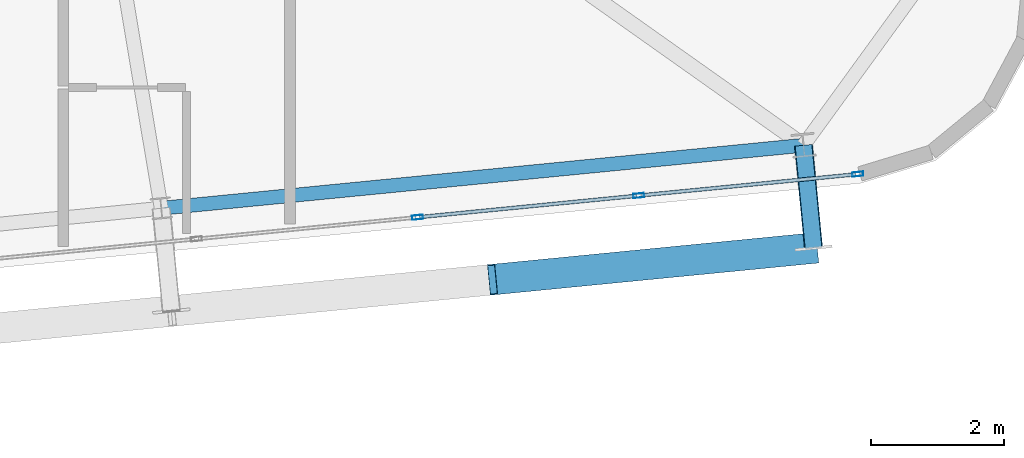
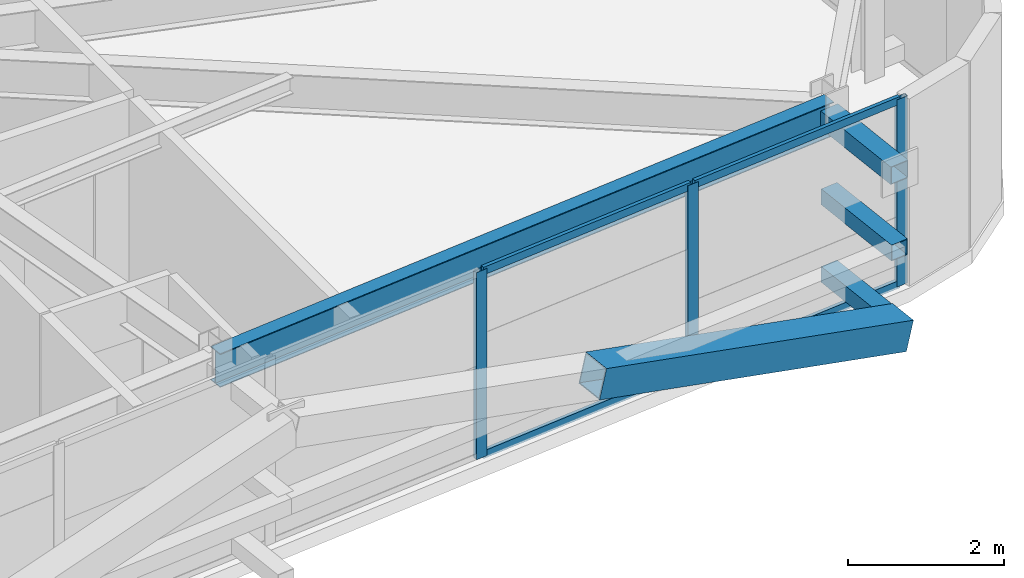
# One storey, part 20 of 53: 11 members, 1 beam, 1 element without a shape of its own.
"""IFC4 building model written with IfcOpenShell, lengths in metres."""

from ifc_helpers import new_model, si_unit, direction, frame, origin, origin_2d, place, context, subcontext, project, spatial, hollow_rectangle, i_section, extrude, source, transform, mapped, material, layer, layer_set, material_profile, profile_set, type_object, element, aggregate, save


model = new_model("IFC4")

# Units and contexts
model_context = context("Model", 3, precision=1e-05, world=origin(), true_north=direction((0.0, 1.0)))
body_context = subcontext(model_context, "Body", "Model", "MODEL_VIEW")
ifc_project = project(units=[si_unit("LENGTHUNIT", "METRE"), si_unit("AREAUNIT", "SQUARE_METRE"), si_unit("VOLUMEUNIT", "CUBIC_METRE"), si_unit("PLANEANGLEUNIT", "RADIAN"), si_unit("MASSUNIT", "GRAM", prefix="KILO")], contexts=[model_context])

# Site, building, storey
site_placement = place(None, origin())
site = spatial("IfcSite", under=ifc_project, at=site_placement, CompositionType="ELEMENT")
building_placement = place(site_placement, origin())
building = spatial("IfcBuilding", under=site, at=building_placement, Name="Taldren Reach Tower", CompositionType="ELEMENT")
storey_placement = place(building_placement, frame((0.0, 0.0, 84.0)))
storey = spatial("IfcBuildingStorey", under=building, at=storey_placement, Name="L25", CompositionType="ELEMENT", Elevation=84.0)

# Members
ifc_material_1 = material(Name="Steel Gr 450 (C450L0)", Category="steel")
ifc_material_profile_1 = material_profile(ifc_material_1, hollow_rectangle(XDim=0.27490234375, YDim=0.27490234375, WallThickness=0.00927734375, at=origin_2d()), Name="275x275x9.3SHS")
ifc_profile_set_1 = profile_set([ifc_material_profile_1], Name="Steel Gr 450 (C450L0)")
member_type_1 = type_object("IfcMemberType", Name="MB-TIE273", PredefinedType="STRUT", material=ifc_profile_set_1)
shared_shape_1 = source(origin(), body_context, "Body", "SweptSolid", [
    extrude(hollow_rectangle(XDim=0.27490234375, YDim=0.27490234375, WallThickness=0.00927734375, at=origin_2d()), origin(), (0.0, 0.0, 1.0), 1.5498046875),
])
member_1_placement = place(storey_placement, frame((63.103271484375, 4.64306640625, 2.64990234375), z_axis=(0.097507178627, -0.995234821595, 0.0), x_axis=(0.995234821595, 0.097507178627, 0.0)))
element("IfcMember", 1, at=member_1_placement, inside=storey, type_object=member_type_1, Name="Exoskeleton diaphragm tie strut B2-S6 L25", PredefinedType="STRUT", context=body_context, shape_type="MappedRepresentation", body=[
    mapped(shared_shape_1, transform((0.0, 0.0, 0.0), scale=1.0)),
])
ifc_material_2 = material(Name="Steel Gr 350 (C350L0)", Category="steel")
ifc_material_profile_2 = material_profile(ifc_material_2, hollow_rectangle(XDim=0.25, YDim=0.25, WallThickness=0.010009765625, at=origin_2d()), Name="250x250x10.0SHS")
ifc_profile_set_2 = profile_set([ifc_material_profile_2], Name="Steel Gr 350 (C350L0)")
member_type_2 = type_object("IfcMemberType", Name="MB-POST250", PredefinedType="POST", material=ifc_profile_set_2)
shared_shape_2 = source(origin(), body_context, "Body", "SweptSolid", [
    extrude(hollow_rectangle(XDim=0.25, YDim=0.25, WallThickness=0.010009765625, at=origin_2d()), origin(), (0.0, 0.0, 1.0), 1.5498046875),
])
for number, where, z_axis, x_axis, name in (
    (2, (63.103271484375, 4.64306640625, 0.219970703125), (0.097507178627, -0.995234821595, 0.0), (0.995234821595, 0.097507178627, 0.0), "Exoskeleton base diaphragm tie strut B2-S6 L25"),
    (3, (63.103271484375, 4.64306640625, 1.43505859375), (0.097507178627, -0.995234821595, 0.0), (0.995234821595, 0.097507178627, 0.0), "Exoskeleton mid-tier diaphragm tie B2-S6 L25"),
):
    element("IfcMember", number, at=place(storey_placement, frame(where, z_axis=z_axis, x_axis=x_axis)), inside=storey, type_object=member_type_2, Name=name, PredefinedType="POST", context=body_context, shape_type="MappedRepresentation", body=[
        mapped(shared_shape_2, transform((0.0, 0.0, 0.0), scale=1.0)),
    ])

# Beam
ifc_material_3 = material(Name="Steel Gr 350 (350PLUS)", Category="steel")
ifc_material_profile_3 = material_profile(ifc_material_3, i_section(OverallWidth=0.208984375, OverallDepth=0.528076171875, WebThickness=0.009521484375, FlangeThickness=0.01318359375, at=origin_2d()), Name="530UB82.0")
ifc_profile_set_3 = profile_set([ifc_material_profile_3], Name="Steel Gr 350 (350PLUS)")
beam_type = type_object("IfcBeamType", Name="SP-UB530B", PredefinedType="SPANDREL", material=ifc_profile_set_3)
shared_shape_3 = source(origin(), body_context, "Body", "SweptSolid", [
    extrude(i_section(OverallWidth=0.208984375, OverallDepth=0.528076171875, WebThickness=0.009521484375, FlangeThickness=0.01318359375, at=origin_2d()), origin(), (0.0, 0.0, 1.0), 9.679931640625),
])
beam_placement = place(storey_placement, frame((53.469482421875, 3.698486328125, 2.666015625), z_axis=(0.995227612658, 0.097580730699, 0.0), x_axis=(-0.097580730699, 0.995227612658, 0.0)))
element("IfcBeam", 4, at=beam_placement, inside=storey, type_object=beam_type, Name="Perimeter spandrel B2 S5-S6 L25", PredefinedType="SPANDREL", context=body_context, shape_type="MappedRepresentation", body=[
    mapped(shared_shape_3, transform((0.0, 0.0, 0.0), scale=1.0)),
])

# Member
ifc_material_profile_4 = material_profile(ifc_material_1, hollow_rectangle(XDim=0.4599609375, YDim=0.4599609375, WallThickness=0.01611328125, at=origin_2d()), Name="460x460x16.0SHS")
ifc_profile_set_4 = profile_set([ifc_material_profile_4], Name="Steel Gr 450 (C450L0)")
member_type_3 = type_object("IfcMemberType", Name="MB-EXO457", PredefinedType="BRACE", material=ifc_profile_set_4)
shared_shape_4 = source(origin(), body_context, "Body", "SweptSolid", [
    extrude(hollow_rectangle(XDim=0.4599609375, YDim=0.4599609375, WallThickness=0.01611328125, at=origin_2d()), origin(), (0.0, 0.0, 1.0), 4.990234375),
])
member_2_placement = place(storey_placement, frame((63.25439453125, 3.1005859375, 0.219970703125), z_axis=(-0.965271056716, -0.094667992638, 0.243494883389), x_axis=(0.097605711627, -0.995225162995, 0.0)))
element("IfcMember", 5, at=member_2_placement, inside=storey, type_object=member_type_3, Name="Exoskeleton Diagrid Brace B2-S5 L25", PredefinedType="BRACE", context=body_context, shape_type="MappedRepresentation", body=[
    mapped(shared_shape_4, transform((0.0, 0.0, 0.0), scale=1.0)),
])

# Curtain wall, members
ifc_material_4 = material(Name="Aluminium and Low-E Glass Unitised System", Category="aluminium")
ifc_layer = layer(ifc_material_4, 0.159912109375)
ifc_layer_set = layer_set([ifc_layer], Name="Aluminium and Low-E Glass Unitised System")
curtain_wall_type = type_object("IfcCurtainWallType", Name="CW-SYS-3", PredefinedType="NOTDEFINED", material=ifc_layer_set)
curtain_wall_placement = place(storey_placement, origin())
curtain_wall = element("IfcCurtainWall", 6, at=curtain_wall_placement, inside=storey, type_object=curtain_wall_type, Name="Unitised curtain wall CW-L25-S", PredefinedType="NOTDEFINED")
ifc_material_5 = material(Name="Anodised Aluminium 6063-T6", Category="aluminium")
ifc_material_profile_5 = material_profile(ifc_material_5, hollow_rectangle(XDim=0.06494140625, YDim=0.1650390625, WallThickness=0.00390625, at=origin_2d()), Name="ALU-165x65x4RHS")
ifc_profile_set_5 = profile_set([ifc_material_profile_5], Name="Anodised Aluminium 6063-T6")
member_type_4 = type_object("IfcMemberType", Name="CW-MUL-165", PredefinedType="MULLION", material=ifc_profile_set_5)
shared_shape_5 = source(origin(), body_context, "Body", "SweptSolid", [
    extrude(hollow_rectangle(XDim=0.06494140625, YDim=0.1650390625, WallThickness=0.00390625, at=origin_2d()), origin(), (0.0, 0.0, 1.0), 2.929931640625),
])
member_3_placement = place(storey_placement, frame((57.314208984375, 3.56298828125, 0.0), z_axis=(0.0, 0.0, 1.0), x_axis=(-0.097582999046, 0.995227390247, 0.0)))
member_3 = element("IfcMember", 7, at=member_3_placement, type_object=member_type_4, Name="CW-3 mullion 14", PredefinedType="MULLION", context=body_context, shape_type="MappedRepresentation", body=[
    mapped(shared_shape_5, transform((0.0, 0.0, 0.0), scale=1.0)),
])
member_4_placement = place(storey_placement, frame((60.631591796875, 3.888427734375, 0.0), z_axis=(0.0, 0.0, 1.0), x_axis=(-0.097582999046, 0.995227390247, 0.0)))
member_4 = element("IfcMember", 8, at=member_4_placement, type_object=member_type_4, Name="CW-3 mullion 15", PredefinedType="MULLION", context=body_context, shape_type="MappedRepresentation", body=[
    mapped(shared_shape_5, transform((0.0, 0.0, 0.0), scale=1.0)),
])
member_5_placement = place(storey_placement, frame((63.916748046875, 4.21044921875, 0.0), z_axis=(0.0, 0.0, 1.0), x_axis=(-0.097582999046, 0.995227390247, 0.0)))
member_5 = element("IfcMember", 9, at=member_5_placement, type_object=member_type_4, Name="CW-3 mullion 16", PredefinedType="MULLION", context=body_context, shape_type="MappedRepresentation", body=[
    mapped(shared_shape_5, transform((0.0, 0.0, 0.0), scale=1.0)),
])
ifc_material_profile_6 = material_profile(ifc_material_5, hollow_rectangle(XDim=0.054931640625, YDim=0.1201171875, WallThickness=0.0029296875, at=origin_2d()), Name="ALU-120x55x3RHS")
ifc_profile_set_6 = profile_set([ifc_material_profile_6], Name="Anodised Aluminium 6063-T6")
member_type_5 = type_object("IfcMemberType", Name="CW-TRN-135", PredefinedType="USERDEFINED", material=ifc_profile_set_6)
shared_shape_6 = source(origin(), body_context, "Body", "SweptSolid", [
    extrude(hollow_rectangle(XDim=0.054931640625, YDim=0.1201171875, WallThickness=0.0029296875, at=origin_2d()), origin(), (0.0, 0.0, 1.0), 3.23583984375),
])
member_6_placement = place(storey_placement, frame((60.6640625, 3.8916015625, 0.027587890625), z_axis=(0.995230248826, 0.097553840629, 0.0), x_axis=(-0.097553840629, 0.995230248826, 0.0)))
member_6 = element("IfcMember", 10, at=member_6_placement, type_object=member_type_5, Name="CW-3 transom 15.1", ObjectType="TRANSOM", PredefinedType="USERDEFINED", context=body_context, shape_type="MappedRepresentation", body=[
    mapped(shared_shape_6, transform((0.0, 0.0, 0.0), scale=1.0)),
])
member_7_placement = place(storey_placement, frame((60.6640625, 3.8916015625, 2.902587890625), z_axis=(0.995230248826, 0.097553840629, 0.0), x_axis=(-0.097553840629, 0.995230248826, 0.0)))
member_7 = element("IfcMember", 11, at=member_7_placement, type_object=member_type_5, Name="CW-3 transom 15.2", ObjectType="TRANSOM", PredefinedType="USERDEFINED", context=body_context, shape_type="MappedRepresentation", body=[
    mapped(shared_shape_6, transform((0.0, 0.0, 0.0), scale=1.0)),
])
shared_shape_7 = source(origin(), body_context, "Body", "SweptSolid", [
    extrude(hollow_rectangle(XDim=0.054931640625, YDim=0.1201171875, WallThickness=0.0029296875, at=origin_2d()), origin(), (0.0, 0.0, 1.0), 3.268310546875),
])
member_8_placement = place(storey_placement, frame((57.3466796875, 3.566162109375, 0.027587890625), z_axis=(0.995222549564, 0.097632355496, 0.0), x_axis=(-0.097632355496, 0.995222549564, 0.0)))
member_8 = element("IfcMember", 12, at=member_8_placement, type_object=member_type_5, Name="CW-3 transom 14.1", ObjectType="TRANSOM", PredefinedType="USERDEFINED", context=body_context, shape_type="MappedRepresentation", body=[
    mapped(shared_shape_7, transform((0.0, 0.0, 0.0), scale=1.0)),
])
member_9_placement = place(storey_placement, frame((57.3466796875, 3.566162109375, 2.902587890625), z_axis=(0.995222549564, 0.097632355496, 0.0), x_axis=(-0.097632355496, 0.995222549564, 0.0)))
member_9 = element("IfcMember", 13, at=member_9_placement, type_object=member_type_5, Name="CW-3 transom 14.2", ObjectType="TRANSOM", PredefinedType="USERDEFINED", context=body_context, shape_type="MappedRepresentation", body=[
    mapped(shared_shape_7, transform((0.0, 0.0, 0.0), scale=1.0)),
])
aggregate(curtain_wall, [member_3, member_4, member_5, member_8, member_9, member_6, member_7])

save(model, "model.ifc")
